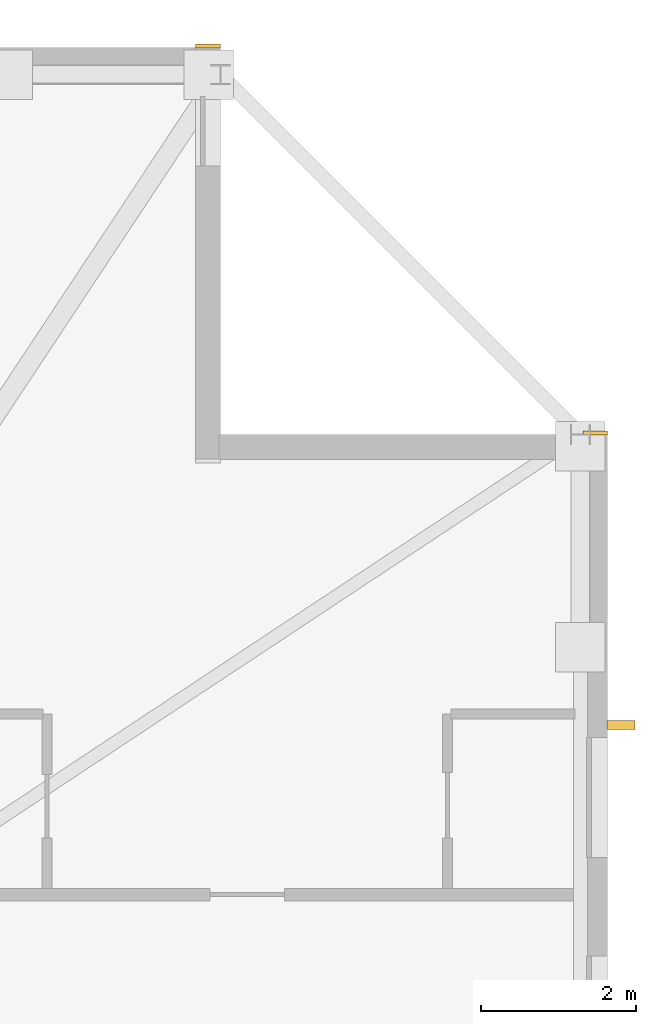
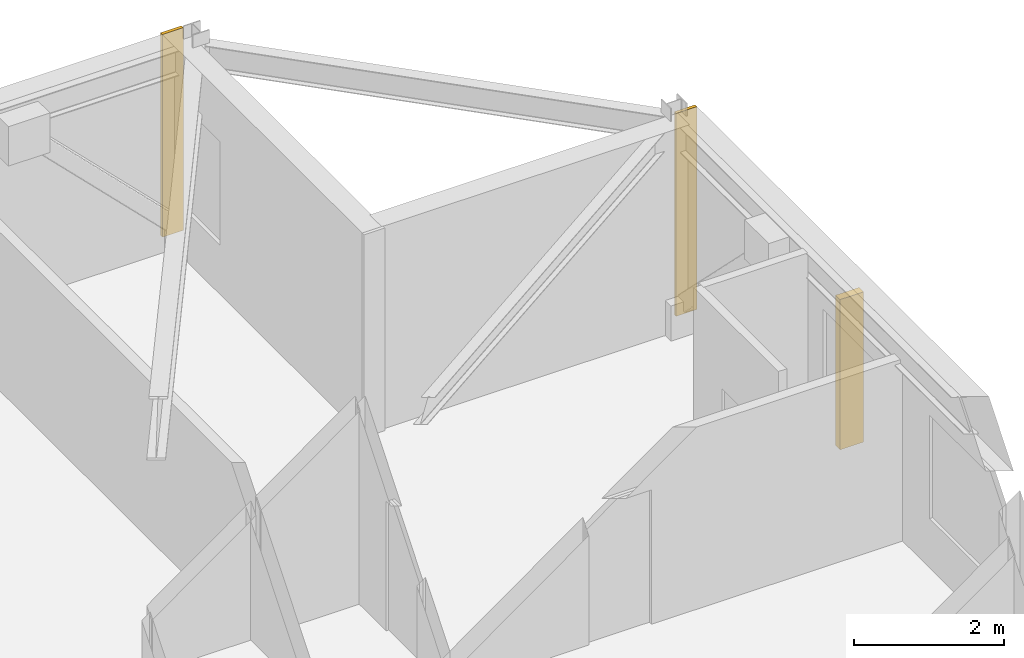
# One storey, part 17 of 17: 2 coverings, 1 shading device.
"""IFC4 building model written with IfcOpenShell, lengths in metres."""

from ifc_helpers import new_model, si_unit, direction, frame, frame_2d, origin, origin_2d, place, context, subcontext, project, spatial, rectangle, extrude, material, layer, layer_set, type_object, element, save


model = new_model("IFC4")

# Units and contexts
model_context = context("Model", 3, precision=1e-05, world=origin(), true_north=direction((0.0, 1.0)))
body_context = subcontext(model_context, "Body", "Model", "MODEL_VIEW")
ifc_project = project(units=[si_unit("LENGTHUNIT", "METRE"), si_unit("AREAUNIT", "SQUARE_METRE"), si_unit("VOLUMEUNIT", "CUBIC_METRE"), si_unit("PLANEANGLEUNIT", "RADIAN"), si_unit("MASSUNIT", "GRAM", prefix="KILO")], contexts=[model_context])

# Site, building, storey
site_placement = place(None, origin())
site = spatial("IfcSite", under=ifc_project, at=site_placement, CompositionType="ELEMENT")
building_placement = place(site_placement, origin())
building = spatial("IfcBuilding", under=site, at=building_placement, Name="Cairnveth Concourse Tower", CompositionType="ELEMENT")
storey_placement = place(building_placement, frame((0.0, 0.0, 234.0)))
storey = spatial("IfcBuildingStorey", under=building, at=storey_placement, Name="L64", CompositionType="ELEMENT", Elevation=234.0)

# Coverings
ifc_material_1 = material(Name="Dressed Melbourne Bluestone Cladding", Category="masonry")
ifc_layer = layer(ifc_material_1, 0.050048828125)
ifc_layer_set = layer_set([ifc_layer], Name="Dressed Melbourne Bluestone Cladding")
covering_type = type_object("IfcCoveringType", Name="DRESSED BLUESTONE PLINTH CLADDING 50", PredefinedType="CLADDING", material=ifc_layer_set)
for number, where, z_axis, x_axis, name in (
    (1, (69.179931640625, 61.52001953125, 0.0), (0.0, 0.0, 1.0), (1.0, 0.0, 0.0), "Melbourne Bluestone Corner Quoin L64-963"),
    (2, (74.179931640625, 56.52001953125, 0.0), (0.0, 0.0, 1.0), (1.0, 0.0, 0.0), "Melbourne Bluestone Corner Quoin L64-965"),
):
    element("IfcCovering", number, at=place(storey_placement, frame(where, z_axis=z_axis, x_axis=x_axis)), inside=storey, type_object=covering_type, Name=name, PredefinedType="CLADDING", context=body_context, shape_type="SweptSolid", body=[
        extrude(rectangle(XDim=0.320068359375, YDim=0.050048828125, at=frame_2d((0.16015625, 0.0))), origin(), (0.0, 0.0, 1.0), 3.2900390625),
    ])

# Shading device
ifc_material_2 = material(Name="Architectural Bronze Anodised Aluminium 6063-T6", Category="aluminium")
shading_device_type = type_object("IfcShadingDeviceType", Name="GOTHIC BRONZE VERTICAL LANCET FIN", PredefinedType="USERDEFINED", material=ifc_material_2)
shading_device_placement = place(storey_placement, frame((74.675048828125, 52.747314453125, 0.030029296875), z_axis=(0.0, 0.0, 1.0), x_axis=(0.0, 1.0, 0.0)))
element("IfcShadingDevice", 3, at=shading_device_placement, inside=storey, type_object=shading_device_type, Name="Gothic Bronze Vertical Fin L64-6-1", ObjectType="VERTICAL FIN", PredefinedType="USERDEFINED", context=body_context, shape_type="SweptSolid", body=[
    extrude(rectangle(XDim=0.1201171875, YDim=0.360107421875, at=origin_2d()), origin(), (0.0, 0.0, 1.0), 2.43798828125),
])

save(model, "model.ifc")
